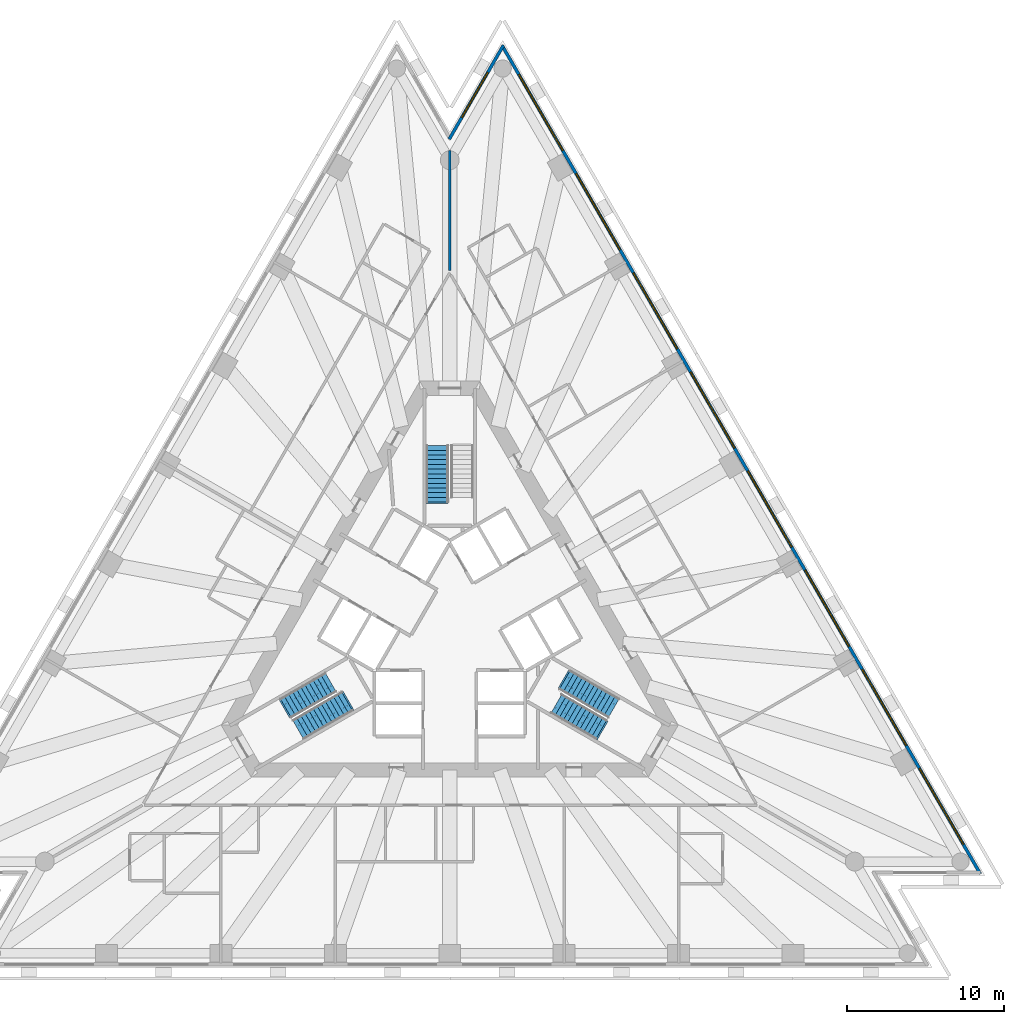
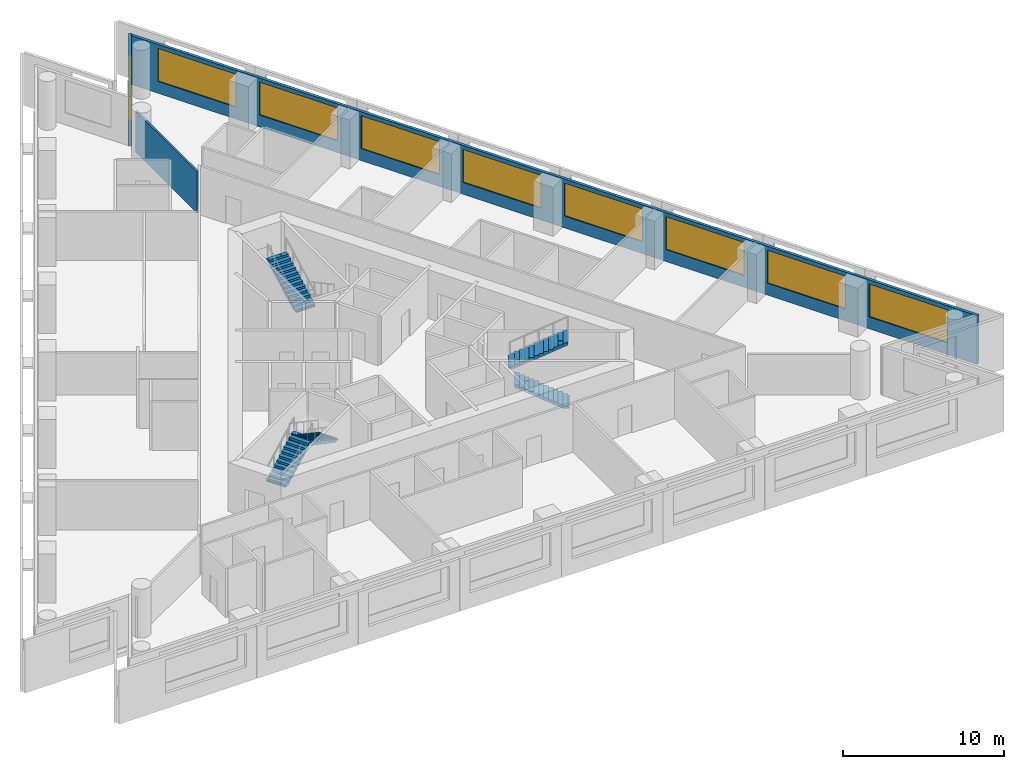
# One storey, part 8 of 11: 9 windows, 5 stair flights, 3 walls, 9 openings, 3 elements without a shape of their own.
"""IFC4 building model written with IfcOpenShell, lengths in metres."""

from ifc_helpers import new_model, si_unit, direction, frame, frame_2d, origin, place, context, subcontext, project, spatial, polyline, rectangle, outline, extrude, material, layer, layer_set, layer_usage, type_object, element, fill, aggregate, save


model = new_model("IFC4")

# Units and contexts
model_context = context("Model", 3, precision=1e-05, world=origin(), true_north=direction((0.0, 1.0)))
body_context = subcontext(model_context, "Body", "Model", "MODEL_VIEW")
ifc_project = project(units=[si_unit("LENGTHUNIT", "METRE"), si_unit("AREAUNIT", "SQUARE_METRE"), si_unit("VOLUMEUNIT", "CUBIC_METRE"), si_unit("PLANEANGLEUNIT", "RADIAN"), si_unit("MASSUNIT", "GRAM", prefix="KILO")], contexts=[model_context])

# Site, building, storey
site_placement = place(None, origin())
site = spatial("IfcSite", under=ifc_project, at=site_placement, CompositionType="ELEMENT")
building_placement = place(site_placement, origin())
building = spatial("IfcBuilding", under=site, at=building_placement, Name="Triada Interchange Tower", CompositionType="ELEMENT")
storey_placement = place(building_placement, frame((0.0, 0.0, 71.300048828125)))
storey = spatial("IfcBuildingStorey", under=building, at=storey_placement, Name="L15", CompositionType="ELEMENT", Elevation=71.300048828125)

# Wall, openings, windows
ifc_material_1 = material(Name="Cement board")
ifc_layer_1 = layer(ifc_material_1, 0.02001953125, Name="Cement board cladding")
ifc_material_2 = material(Name="Sheathing board")
ifc_layer_2 = layer(ifc_material_2, 0.014892578125, Name="Sheathing board")
ifc_material_3 = material(Name="Mineral wool")
ifc_layer_3 = layer(ifc_material_3, 0.14990234375, Name="Mineral wool between steel studs")
ifc_material_4 = material(Name="Gypsum board")
ifc_layer_4 = layer(ifc_material_4, 0.014892578125, Name="Plasterboard lining")
ifc_layer_set_1 = layer_set([ifc_layer_1, ifc_layer_2, ifc_layer_3, ifc_layer_4], Name="External wall 200")
ifc_layer_usage = layer_usage(ifc_layer_set_1, "AXIS2", "POSITIVE", -0.10009765625)
wall_type_1 = type_object("IfcWallType", Name="External wall 200", PredefinedType="ELEMENTEDWALL", material=ifc_layer_set_1)
wall_1_placement = place(storey_placement, frame((33.779052734375, -15.662109375, 0.0), z_axis=(0.0, 0.0, 1.0), x_axis=(-0.500000131003, 0.86602532815, 0.0)))
wall_1 = element("IfcWall", 1, at=wall_1_placement, inside=storey, type_object=wall_type_1, material=ifc_layer_usage, Name="External wall L15 NE", PredefinedType="ELEMENTEDWALL", context=body_context, shape_type="SweptSolid", body=[
    extrude(rectangle(XDim=60.88623046875, YDim=0.199951171875, at=frame_2d((30.443115234375, 0.0))), origin(), (0.0, 0.0, 1.0), 3.699951171875),
])
opening_1_placement = place(wall_1_placement, frame((2.14697265625, 0.0, 0.89990234375)))
opening_1 = element("IfcOpeningElement", 2, at=opening_1_placement, cuts=wall_1, Name="Opening WA21", PredefinedType="OPENING", context=body_context, shape_type="SweptSolid", body=[
    extrude(rectangle(XDim=5.60009765625, YDim=2.5, at=frame_2d((2.800048828125, 1.25))), frame((0.0, 0.10986328125, 0.0), z_axis=(0.0, -1.0, 0.0), x_axis=(1.0, 0.0, 0.0)), (0.0, 0.0, 1.0), 0.219970703125),
])
opening_2_placement = place(wall_1_placement, frame((9.43408203125, 0.0, 0.89990234375)))
opening_2 = element("IfcOpeningElement", 3, at=opening_2_placement, cuts=wall_1, Name="Opening WA22", PredefinedType="OPENING", context=body_context, shape_type="SweptSolid", body=[
    extrude(rectangle(XDim=5.60009765625, YDim=2.5, at=frame_2d((2.800048828125, 1.25))), frame((0.0, 0.10986328125, 0.0), z_axis=(0.0, -1.0, 0.0), x_axis=(1.0, 0.0, 0.0)), (0.0, 0.0, 1.0), 0.219970703125),
])
opening_3_placement = place(wall_1_placement, frame((16.721923828125, 0.0, 0.89990234375)))
opening_3 = element("IfcOpeningElement", 4, at=opening_3_placement, cuts=wall_1, Name="Opening WA23", PredefinedType="OPENING", context=body_context, shape_type="SweptSolid", body=[
    extrude(rectangle(XDim=5.60009765625, YDim=2.5, at=frame_2d((2.800048828125, 1.25))), frame((0.0, 0.10986328125, 0.0), z_axis=(0.0, -1.0, 0.0), x_axis=(1.0, 0.0, 0.0)), (0.0, 0.0, 1.0), 0.219970703125),
])
opening_4_placement = place(wall_1_placement, frame((24.009033203125, 0.0, 0.89990234375)))
opening_4 = element("IfcOpeningElement", 5, at=opening_4_placement, cuts=wall_1, Name="Opening WA24", PredefinedType="OPENING", context=body_context, shape_type="SweptSolid", body=[
    extrude(rectangle(XDim=5.60009765625, YDim=2.5, at=frame_2d((2.800048828125, 1.25))), frame((0.0, 0.10986328125, 0.0), z_axis=(0.0, -1.0, 0.0), x_axis=(1.0, 0.0, 0.0)), (0.0, 0.0, 1.0), 0.219970703125),
])
opening_5_placement = place(wall_1_placement, frame((31.297119140625, 0.0, 0.89990234375)))
opening_5 = element("IfcOpeningElement", 6, at=opening_5_placement, cuts=wall_1, Name="Opening WA25", PredefinedType="OPENING", context=body_context, shape_type="SweptSolid", body=[
    extrude(rectangle(XDim=5.60009765625, YDim=2.5, at=frame_2d((2.800048828125, 1.25))), frame((0.0, 0.10986328125, 0.0), z_axis=(0.0, -1.0, 0.0), x_axis=(1.0, 0.0, 0.0)), (0.0, 0.0, 1.0), 0.219970703125),
])
opening_6_placement = place(wall_1_placement, frame((38.583984375, 0.0, 0.89990234375)))
opening_6 = element("IfcOpeningElement", 7, at=opening_6_placement, cuts=wall_1, Name="Opening WA26", PredefinedType="OPENING", context=body_context, shape_type="SweptSolid", body=[
    extrude(rectangle(XDim=5.60009765625, YDim=2.5, at=frame_2d((2.800048828125, 1.25))), frame((0.0, 0.10986328125, 0.0), z_axis=(0.0, -1.0, 0.0), x_axis=(1.0, 0.0, 0.0)), (0.0, 0.0, 1.0), 0.219970703125),
])
opening_7_placement = place(wall_1_placement, frame((45.8720703125, 0.0, 0.89990234375)))
opening_7 = element("IfcOpeningElement", 8, at=opening_7_placement, cuts=wall_1, Name="Opening WA27", PredefinedType="OPENING", context=body_context, shape_type="SweptSolid", body=[
    extrude(rectangle(XDim=5.60009765625, YDim=2.5, at=frame_2d((2.800048828125, 1.25))), frame((0.0, 0.10986328125, 0.0), z_axis=(0.0, -1.0, 0.0), x_axis=(1.0, 0.0, 0.0)), (0.0, 0.0, 1.0), 0.219970703125),
])
opening_8_placement = place(wall_1_placement, frame((53.159912109375, 0.0, 0.89990234375)))
opening_8 = element("IfcOpeningElement", 9, at=opening_8_placement, cuts=wall_1, Name="Opening WA28", PredefinedType="OPENING", context=body_context, shape_type="SweptSolid", body=[
    extrude(rectangle(XDim=5.60009765625, YDim=2.5, at=frame_2d((2.800048828125, 1.25))), frame((0.0, 0.10986328125, 0.0), z_axis=(0.0, -1.0, 0.0), x_axis=(1.0, 0.0, 0.0)), (0.0, 0.0, 1.0), 0.219970703125),
])
ifc_material_5 = material(Name="Double glazed aluminium window", Category="aluminium")
window_type_1 = type_object("IfcWindowType", Name="Ribbon window A face", PartitioningType="SINGLE_PANEL", PredefinedType="WINDOW", material=ifc_material_5)
window_1_placement = place(opening_1_placement, origin())
window_1 = element("IfcWindow", 10, at=window_1_placement, inside=storey, type_object=window_type_1, Name="Window L15 NE 1", OverallHeight=2.5, OverallWidth=5.60009765625, PartitioningType="SINGLE_PANEL", PredefinedType="WINDOW", context=body_context, shape_type="SweptSolid", body=[
    extrude(rectangle(XDim=5.60009765625, YDim=2.5, at=frame_2d((2.800048828125, 1.25))), frame((0.0, 0.030029296875, 0.0), z_axis=(0.0, -1.0, 0.0), x_axis=(1.0, 0.0, 0.0)), (0.0, 0.0, 1.0), 0.06005859375),
])
fill(opening_1, window_1)
window_2_placement = place(opening_2_placement, origin())
window_2 = element("IfcWindow", 11, at=window_2_placement, inside=storey, type_object=window_type_1, Name="Window L15 NE 2", OverallHeight=2.5, OverallWidth=5.60009765625, PartitioningType="SINGLE_PANEL", PredefinedType="WINDOW", context=body_context, shape_type="SweptSolid", body=[
    extrude(rectangle(XDim=5.60009765625, YDim=2.5, at=frame_2d((2.800048828125, 1.25))), frame((0.0, 0.030029296875, 0.0), z_axis=(0.0, -1.0, 0.0), x_axis=(1.0, 0.0, 0.0)), (0.0, 0.0, 1.0), 0.06005859375),
])
fill(opening_2, window_2)
window_3_placement = place(opening_3_placement, origin())
window_3 = element("IfcWindow", 12, at=window_3_placement, inside=storey, type_object=window_type_1, Name="Window L15 NE 3", OverallHeight=2.5, OverallWidth=5.60009765625, PartitioningType="SINGLE_PANEL", PredefinedType="WINDOW", context=body_context, shape_type="SweptSolid", body=[
    extrude(rectangle(XDim=5.60009765625, YDim=2.5, at=frame_2d((2.800048828125, 1.25))), frame((0.0, 0.030029296875, 0.0), z_axis=(0.0, -1.0, 0.0), x_axis=(1.0, 0.0, 0.0)), (0.0, 0.0, 1.0), 0.06005859375),
])
fill(opening_3, window_3)
window_4_placement = place(opening_4_placement, origin())
window_4 = element("IfcWindow", 13, at=window_4_placement, inside=storey, type_object=window_type_1, Name="Window L15 NE 4", OverallHeight=2.5, OverallWidth=5.60009765625, PartitioningType="SINGLE_PANEL", PredefinedType="WINDOW", context=body_context, shape_type="SweptSolid", body=[
    extrude(rectangle(XDim=5.60009765625, YDim=2.5, at=frame_2d((2.800048828125, 1.25))), frame((0.0, 0.030029296875, 0.0), z_axis=(0.0, -1.0, 0.0), x_axis=(1.0, 0.0, 0.0)), (0.0, 0.0, 1.0), 0.06005859375),
])
fill(opening_4, window_4)
window_5_placement = place(opening_5_placement, origin())
window_5 = element("IfcWindow", 14, at=window_5_placement, inside=storey, type_object=window_type_1, Name="Window L15 NE 5", OverallHeight=2.5, OverallWidth=5.60009765625, PartitioningType="SINGLE_PANEL", PredefinedType="WINDOW", context=body_context, shape_type="SweptSolid", body=[
    extrude(rectangle(XDim=5.60009765625, YDim=2.5, at=frame_2d((2.800048828125, 1.25))), frame((0.0, 0.030029296875, 0.0), z_axis=(0.0, -1.0, 0.0), x_axis=(1.0, 0.0, 0.0)), (0.0, 0.0, 1.0), 0.06005859375),
])
fill(opening_5, window_5)
window_6_placement = place(opening_6_placement, origin())
window_6 = element("IfcWindow", 15, at=window_6_placement, inside=storey, type_object=window_type_1, Name="Window L15 NE 6", OverallHeight=2.5, OverallWidth=5.60009765625, PartitioningType="SINGLE_PANEL", PredefinedType="WINDOW", context=body_context, shape_type="SweptSolid", body=[
    extrude(rectangle(XDim=5.60009765625, YDim=2.5, at=frame_2d((2.800048828125, 1.25))), frame((0.0, 0.030029296875, 0.0), z_axis=(0.0, -1.0, 0.0), x_axis=(1.0, 0.0, 0.0)), (0.0, 0.0, 1.0), 0.06005859375),
])
fill(opening_6, window_6)
window_7_placement = place(opening_7_placement, origin())
window_7 = element("IfcWindow", 16, at=window_7_placement, inside=storey, type_object=window_type_1, Name="Window L15 NE 7", OverallHeight=2.5, OverallWidth=5.60009765625, PartitioningType="SINGLE_PANEL", PredefinedType="WINDOW", context=body_context, shape_type="SweptSolid", body=[
    extrude(rectangle(XDim=5.60009765625, YDim=2.5, at=frame_2d((2.800048828125, 1.25))), frame((0.0, 0.030029296875, 0.0), z_axis=(0.0, -1.0, 0.0), x_axis=(1.0, 0.0, 0.0)), (0.0, 0.0, 1.0), 0.06005859375),
])
fill(opening_7, window_7)
window_8_placement = place(opening_8_placement, origin())
window_8 = element("IfcWindow", 17, at=window_8_placement, inside=storey, type_object=window_type_1, Name="Window L15 NE 8", OverallHeight=2.5, OverallWidth=5.60009765625, PartitioningType="SINGLE_PANEL", PredefinedType="WINDOW", context=body_context, shape_type="SweptSolid", body=[
    extrude(rectangle(XDim=5.60009765625, YDim=2.5, at=frame_2d((2.800048828125, 1.25))), frame((0.0, 0.030029296875, 0.0), z_axis=(0.0, -1.0, 0.0), x_axis=(1.0, 0.0, 0.0)), (0.0, 0.0, 1.0), 0.06005859375),
])
fill(opening_8, window_8)

# Wall, opening, window
wall_2_placement = place(storey_placement, frame((3.416015625, 37.083984375, 0.0), z_axis=(0.0, 0.0, 1.0), x_axis=(-0.500008243208, -0.866020644514, 0.0)))
wall_2 = element("IfcWall", 18, at=wall_2_placement, inside=storey, type_object=wall_type_1, material=ifc_layer_usage, Name="External wall L15 N-1", PredefinedType="ELEMENTEDWALL", context=body_context, shape_type="SweptSolid", body=[
    extrude(rectangle(XDim=6.90185546875, YDim=0.199951171875, at=frame_2d((3.450927734375, 0.0))), origin(), (0.0, 0.0, 1.0), 3.699951171875),
])
opening_9_placement = place(wall_2_placement, frame((1.989990234375, 0.0, 0.89990234375)))
opening_9 = element("IfcOpeningElement", 19, at=opening_9_placement, cuts=wall_2, Name="Opening WA29", PredefinedType="OPENING", context=body_context, shape_type="SweptSolid", body=[
    extrude(rectangle(XDim=3.300048828125, YDim=2.5, at=frame_2d((1.64990234375, 1.25))), frame((0.0, 0.10986328125, 0.0), z_axis=(0.0, -1.0, 0.0), x_axis=(1.0, 0.0, 0.0)), (0.0, 0.0, 1.0), 0.219970703125),
])
window_type_2 = type_object("IfcWindowType", Name="Ribbon window A pocket", PartitioningType="SINGLE_PANEL", PredefinedType="WINDOW", material=ifc_material_5)
window_9_placement = place(opening_9_placement, origin())
window_9 = element("IfcWindow", 20, at=window_9_placement, inside=storey, type_object=window_type_2, Name="Window L15 N-1 1", OverallHeight=2.5, OverallWidth=3.300048828125, PartitioningType="SINGLE_PANEL", PredefinedType="WINDOW", context=body_context, shape_type="SweptSolid", body=[
    extrude(rectangle(XDim=3.300048828125, YDim=2.5, at=frame_2d((1.64990234375, 1.25))), frame((0.0, 0.030029296875, 0.0), z_axis=(0.0, -1.0, 0.0), x_axis=(1.0, 0.0, 0.0)), (0.0, 0.0, 1.0), 0.06005859375),
])
fill(opening_9, window_9)

# Wall
ifc_material_6 = material(Name="Gypsum board partition")
ifc_layer_5 = layer(ifc_material_6, 0.14990234375)
ifc_layer_set_2 = layer_set([ifc_layer_5], Name="PARTITION 150 EI 180")
wall_type_2 = type_object("IfcWallType", Name="PARTITION 150 EI 180", PredefinedType="PARTITIONING", material=ifc_layer_set_2)
wall_3_placement = place(storey_placement, frame((0.0, 22.75, 0.0), z_axis=(0.0, 0.0, 1.0), x_axis=(0.0, 1.0, 0.0)))
element("IfcWall", 21, at=wall_3_placement, inside=storey, type_object=wall_type_2, Name="Wall L15 20", PredefinedType="PARTITIONING", context=body_context, shape_type="SweptSolid", body=[
    extrude(rectangle(XDim=7.637939453125, YDim=0.14990234375, at=frame_2d((3.81884765625, 0.0))), origin(), (0.0, 0.0, 1.0), 3.099853515625),
])

# Stair, stair flight
ifc_material_7 = material(Name="Concrete C35/45", Category="concrete")
stair_type = type_object("IfcStairType", Name="HALF TURN STAIR 1400", PredefinedType="HALF_TURN_STAIR", material=ifc_material_7)
stair_1_placement = place(storey_placement, origin())
stair_1 = element("IfcStair", 22, at=stair_1_placement, inside=storey, type_object=stair_type, Name="Exit stair S15-1", PredefinedType="HALF_TURN_STAIR")
stair_flight_type = type_object("IfcStairFlightType", Name="STRAIGHT STAIR FLIGHT 1400", PredefinedType="STRAIGHT", material=ifc_material_7)
stair_flight_1_placement = place(storey_placement, frame((-0.800048828125, 8.0, 1.919921875), z_axis=(0.0, 0.0, 1.0), x_axis=(0.0, 1.0, 0.0)))
stair_flight_1 = element("IfcStairFlight", 23, at=stair_flight_1_placement, type_object=stair_flight_type, Name="S15-1 flight 2", NumberOfRisers=13, NumberOfTreads=12, PredefinedType="STRAIGHT", RiserHeight=0.16, TreadLength=0.3, context=body_context, shape_type="SweptSolid", body=[
    extrude(outline(polyline([(-0.10009765625, 0.0), (-0.10009765625, 0.02001953125), (0.0, 0.02001953125), (0.0, 0.159912109375), (0.300048828125, 0.159912109375), (0.300048828125, 0.320068359375), (0.60009765625, 0.320068359375), (0.60009765625, 0.47998046875), (0.89990234375, 0.47998046875), (0.89990234375, 0.639892578125), (1.199951171875, 0.639892578125), (1.199951171875, 0.800048828125), (1.5, 0.800048828125), (1.5, 0.9599609375), (1.800048828125, 0.9599609375), (1.800048828125, 1.1201171875), (2.10009765625, 1.1201171875), (2.10009765625, 1.280029296875), (2.39990234375, 1.280029296875), (2.39990234375, 1.43994140625), (2.699951171875, 1.43994140625), (2.699951171875, 1.60009765625), (3.0, 1.60009765625), (3.0, 1.760009765625), (3.300048828125, 1.760009765625), (3.300048828125, 1.919921875), (3.60009765625, 1.919921875), (3.60400390625, 1.919921875), (3.60400390625, 2.080078125), (3.60400390625, 1.75), (0.318603515625, 0.0), (-0.10009765625, 0.0)])), frame((0.0, 0.699951171875, 0.0), z_axis=(0.0, -1.0, 0.0), x_axis=(1.0, 0.0, 0.0)), (0.0, 0.0, 1.0), 0.46533203125),
    extrude(outline(polyline([(-0.10009765625, 0.0), (-0.10009765625, 0.02001953125), (0.0, 0.02001953125), (0.0, 0.159912109375), (0.300048828125, 0.159912109375), (0.300048828125, 0.320068359375), (0.60009765625, 0.320068359375), (0.60009765625, 0.47998046875), (0.89990234375, 0.47998046875), (0.89990234375, 0.639892578125), (1.199951171875, 0.639892578125), (1.199951171875, 0.800048828125), (1.5, 0.800048828125), (1.5, 0.9599609375), (1.800048828125, 0.9599609375), (1.800048828125, 1.1201171875), (2.10009765625, 1.1201171875), (2.10009765625, 1.280029296875), (2.39990234375, 1.280029296875), (2.39990234375, 1.43994140625), (2.699951171875, 1.43994140625), (2.699951171875, 1.60009765625), (3.0, 1.60009765625), (3.0, 1.760009765625), (3.300048828125, 1.760009765625), (3.300048828125, 1.919921875), (3.60009765625, 1.919921875), (3.60400390625, 1.919921875), (3.60400390625, 2.080078125), (3.60400390625, 1.75), (0.318603515625, 0.0), (-0.10009765625, 0.0)])), frame((0.0, 0.232666015625, 0.0), z_axis=(0.0, -1.0, 0.0), x_axis=(1.0, 0.0, 0.0)), (0.0, 0.0, 1.0), 0.46533203125),
    extrude(outline(polyline([(-0.10009765625, 0.0), (-0.10009765625, 0.02001953125), (0.0, 0.02001953125), (0.0, 0.159912109375), (0.300048828125, 0.159912109375), (0.300048828125, 0.320068359375), (0.60009765625, 0.320068359375), (0.60009765625, 0.47998046875), (0.89990234375, 0.47998046875), (0.89990234375, 0.639892578125), (1.199951171875, 0.639892578125), (1.199951171875, 0.800048828125), (1.5, 0.800048828125), (1.5, 0.9599609375), (1.800048828125, 0.9599609375), (1.800048828125, 1.1201171875), (2.10009765625, 1.1201171875), (2.10009765625, 1.280029296875), (2.39990234375, 1.280029296875), (2.39990234375, 1.43994140625), (2.699951171875, 1.43994140625), (2.699951171875, 1.60009765625), (3.0, 1.60009765625), (3.0, 1.760009765625), (3.300048828125, 1.760009765625), (3.300048828125, 1.919921875), (3.60009765625, 1.919921875), (3.60400390625, 1.919921875), (3.60400390625, 2.080078125), (3.60400390625, 1.75), (0.318603515625, 0.0), (-0.10009765625, 0.0)])), frame((0.0, -0.234619140625, 0.0), z_axis=(0.0, -1.0, 0.0), x_axis=(1.0, 0.0, 0.0)), (0.0, 0.0, 1.0), 0.46533203125),
])
aggregate(stair_1, [stair_flight_1])

# Stair, stair flights
stair_2_placement = place(storey_placement, origin())
stair_2 = element("IfcStair", 24, at=stair_2_placement, inside=storey, type_object=stair_type, Name="Exit stair S15-2", PredefinedType="HALF_TURN_STAIR")
stair_flight_2_placement = place(storey_placement, frame((-10.446044921875, -5.10693359375, 0.0), z_axis=(0.0, 0.0, 1.0), x_axis=(0.866025403784, 0.5, 0.0)))
stair_flight_2 = element("IfcStairFlight", 25, at=stair_flight_2_placement, type_object=stair_flight_type, Name="S15-2 flight 1", NumberOfRisers=12, NumberOfTreads=11, PredefinedType="STRAIGHT", RiserHeight=0.16, TreadLength=0.3, context=body_context, shape_type="SweptSolid", body=[
    extrude(outline(polyline([(-0.10009765625, 0.0), (-0.10009765625, 0.02001953125), (0.0, 0.02001953125), (0.0, 0.159912109375), (0.300048828125, 0.159912109375), (0.300048828125, 0.320068359375), (0.60009765625, 0.320068359375), (0.60009765625, 0.47998046875), (0.89990234375, 0.47998046875), (0.89990234375, 0.639892578125), (1.199951171875, 0.639892578125), (1.199951171875, 0.800048828125), (1.5, 0.800048828125), (1.5, 0.9599609375), (1.800048828125, 0.9599609375), (1.800048828125, 1.1201171875), (2.10009765625, 1.1201171875), (2.10009765625, 1.280029296875), (2.39990234375, 1.280029296875), (2.39990234375, 1.43994140625), (2.699951171875, 1.43994140625), (2.699951171875, 1.60009765625), (3.0, 1.60009765625), (3.0, 1.760009765625), (3.300048828125, 1.760009765625), (3.303955078125, 1.760009765625), (3.303955078125, 1.919921875), (3.303955078125, 1.590087890625), (0.318603515625, 0.0), (-0.10009765625, 0.0)])), frame((0.0, 0.699951171875, 0.0), z_axis=(0.0, -1.0, 0.0), x_axis=(1.0, 0.0, 0.0)), (0.0, 0.0, 1.0), 0.46533203125),
    extrude(outline(polyline([(-0.10009765625, 0.0), (-0.10009765625, 0.02001953125), (0.0, 0.02001953125), (0.0, 0.159912109375), (0.300048828125, 0.159912109375), (0.300048828125, 0.320068359375), (0.60009765625, 0.320068359375), (0.60009765625, 0.47998046875), (0.89990234375, 0.47998046875), (0.89990234375, 0.639892578125), (1.199951171875, 0.639892578125), (1.199951171875, 0.800048828125), (1.5, 0.800048828125), (1.5, 0.9599609375), (1.800048828125, 0.9599609375), (1.800048828125, 1.1201171875), (2.10009765625, 1.1201171875), (2.10009765625, 1.280029296875), (2.39990234375, 1.280029296875), (2.39990234375, 1.43994140625), (2.699951171875, 1.43994140625), (2.699951171875, 1.60009765625), (3.0, 1.60009765625), (3.0, 1.760009765625), (3.300048828125, 1.760009765625), (3.303955078125, 1.760009765625), (3.303955078125, 1.919921875), (3.303955078125, 1.590087890625), (0.318603515625, 0.0), (-0.10009765625, 0.0)])), frame((0.0, 0.232666015625, 0.0), z_axis=(0.0, -1.0, 0.0), x_axis=(1.0, 0.0, 0.0)), (0.0, 0.0, 1.0), 0.46533203125),
    extrude(outline(polyline([(-0.10009765625, 0.0), (-0.10009765625, 0.02001953125), (0.0, 0.02001953125), (0.0, 0.159912109375), (0.300048828125, 0.159912109375), (0.300048828125, 0.320068359375), (0.60009765625, 0.320068359375), (0.60009765625, 0.47998046875), (0.89990234375, 0.47998046875), (0.89990234375, 0.639892578125), (1.199951171875, 0.639892578125), (1.199951171875, 0.800048828125), (1.5, 0.800048828125), (1.5, 0.9599609375), (1.800048828125, 0.9599609375), (1.800048828125, 1.1201171875), (2.10009765625, 1.1201171875), (2.10009765625, 1.280029296875), (2.39990234375, 1.280029296875), (2.39990234375, 1.43994140625), (2.699951171875, 1.43994140625), (2.699951171875, 1.60009765625), (3.0, 1.60009765625), (3.0, 1.760009765625), (3.300048828125, 1.760009765625), (3.303955078125, 1.760009765625), (3.303955078125, 1.919921875), (3.303955078125, 1.590087890625), (0.318603515625, 0.0), (-0.10009765625, 0.0)])), frame((0.0, -0.234619140625, 0.0), z_axis=(0.0, -1.0, 0.0), x_axis=(1.0, 0.0, 0.0)), (0.0, 0.0, 1.0), 0.46533203125),
])
stair_flight_3_placement = place(storey_placement, frame((-6.528076171875, -4.693115234375, 1.919921875), z_axis=(0.0, 0.0, 1.0), x_axis=(-0.866025403784, -0.5, 0.0)))
stair_flight_3 = element("IfcStairFlight", 26, at=stair_flight_3_placement, type_object=stair_flight_type, Name="S15-2 flight 2", NumberOfRisers=13, NumberOfTreads=12, PredefinedType="STRAIGHT", RiserHeight=0.16, TreadLength=0.3, context=body_context, shape_type="SweptSolid", body=[
    extrude(outline(polyline([(-0.10009765625, 0.0), (-0.10009765625, 0.02001953125), (0.0, 0.02001953125), (0.0, 0.159912109375), (0.300048828125, 0.159912109375), (0.300048828125, 0.320068359375), (0.60009765625, 0.320068359375), (0.60009765625, 0.47998046875), (0.89990234375, 0.47998046875), (0.89990234375, 0.639892578125), (1.199951171875, 0.639892578125), (1.199951171875, 0.800048828125), (1.5, 0.800048828125), (1.5, 0.9599609375), (1.800048828125, 0.9599609375), (1.800048828125, 1.1201171875), (2.10009765625, 1.1201171875), (2.10009765625, 1.280029296875), (2.39990234375, 1.280029296875), (2.39990234375, 1.43994140625), (2.699951171875, 1.43994140625), (2.699951171875, 1.60009765625), (3.0, 1.60009765625), (3.0, 1.760009765625), (3.300048828125, 1.760009765625), (3.300048828125, 1.919921875), (3.60009765625, 1.919921875), (3.60400390625, 1.919921875), (3.60400390625, 2.080078125), (3.60400390625, 1.75), (0.318603515625, 0.0), (-0.10009765625, 0.0)])), frame((0.0, 0.699951171875, 0.0), z_axis=(0.0, -1.0, 0.0), x_axis=(1.0, 0.0, 0.0)), (0.0, 0.0, 1.0), 0.46533203125),
    extrude(outline(polyline([(-0.10009765625, 0.0), (-0.10009765625, 0.02001953125), (0.0, 0.02001953125), (0.0, 0.159912109375), (0.300048828125, 0.159912109375), (0.300048828125, 0.320068359375), (0.60009765625, 0.320068359375), (0.60009765625, 0.47998046875), (0.89990234375, 0.47998046875), (0.89990234375, 0.639892578125), (1.199951171875, 0.639892578125), (1.199951171875, 0.800048828125), (1.5, 0.800048828125), (1.5, 0.9599609375), (1.800048828125, 0.9599609375), (1.800048828125, 1.1201171875), (2.10009765625, 1.1201171875), (2.10009765625, 1.280029296875), (2.39990234375, 1.280029296875), (2.39990234375, 1.43994140625), (2.699951171875, 1.43994140625), (2.699951171875, 1.60009765625), (3.0, 1.60009765625), (3.0, 1.760009765625), (3.300048828125, 1.760009765625), (3.300048828125, 1.919921875), (3.60009765625, 1.919921875), (3.60400390625, 1.919921875), (3.60400390625, 2.080078125), (3.60400390625, 1.75), (0.318603515625, 0.0), (-0.10009765625, 0.0)])), frame((0.0, 0.232666015625, 0.0), z_axis=(0.0, -1.0, 0.0), x_axis=(1.0, 0.0, 0.0)), (0.0, 0.0, 1.0), 0.46533203125),
    extrude(outline(polyline([(-0.10009765625, 0.0), (-0.10009765625, 0.02001953125), (0.0, 0.02001953125), (0.0, 0.159912109375), (0.300048828125, 0.159912109375), (0.300048828125, 0.320068359375), (0.60009765625, 0.320068359375), (0.60009765625, 0.47998046875), (0.89990234375, 0.47998046875), (0.89990234375, 0.639892578125), (1.199951171875, 0.639892578125), (1.199951171875, 0.800048828125), (1.5, 0.800048828125), (1.5, 0.9599609375), (1.800048828125, 0.9599609375), (1.800048828125, 1.1201171875), (2.10009765625, 1.1201171875), (2.10009765625, 1.280029296875), (2.39990234375, 1.280029296875), (2.39990234375, 1.43994140625), (2.699951171875, 1.43994140625), (2.699951171875, 1.60009765625), (3.0, 1.60009765625), (3.0, 1.760009765625), (3.300048828125, 1.760009765625), (3.300048828125, 1.919921875), (3.60009765625, 1.919921875), (3.60400390625, 1.919921875), (3.60400390625, 2.080078125), (3.60400390625, 1.75), (0.318603515625, 0.0), (-0.10009765625, 0.0)])), frame((0.0, -0.234619140625, 0.0), z_axis=(0.0, -1.0, 0.0), x_axis=(1.0, 0.0, 0.0)), (0.0, 0.0, 1.0), 0.46533203125),
])
aggregate(stair_2, [stair_flight_2, stair_flight_3])

stair_3_placement = place(storey_placement, origin())
stair_3 = element("IfcStair", 27, at=stair_3_placement, inside=storey, type_object=stair_type, Name="Exit stair S15-3", PredefinedType="HALF_TURN_STAIR")
stair_flight_4_placement = place(storey_placement, frame((9.64599609375, -6.492919921875, 0.0), z_axis=(0.0, 0.0, 1.0), x_axis=(-0.866025403784, 0.5, 0.0)))
stair_flight_4 = element("IfcStairFlight", 28, at=stair_flight_4_placement, type_object=stair_flight_type, Name="S15-3 flight 1", NumberOfRisers=12, NumberOfTreads=11, PredefinedType="STRAIGHT", RiserHeight=0.16, TreadLength=0.3, context=body_context, shape_type="SweptSolid", body=[
    extrude(outline(polyline([(-0.10009765625, 0.0), (-0.10009765625, 0.02001953125), (0.0, 0.02001953125), (0.0, 0.159912109375), (0.300048828125, 0.159912109375), (0.300048828125, 0.320068359375), (0.60009765625, 0.320068359375), (0.60009765625, 0.47998046875), (0.89990234375, 0.47998046875), (0.89990234375, 0.639892578125), (1.199951171875, 0.639892578125), (1.199951171875, 0.800048828125), (1.5, 0.800048828125), (1.5, 0.9599609375), (1.800048828125, 0.9599609375), (1.800048828125, 1.1201171875), (2.10009765625, 1.1201171875), (2.10009765625, 1.280029296875), (2.39990234375, 1.280029296875), (2.39990234375, 1.43994140625), (2.699951171875, 1.43994140625), (2.699951171875, 1.60009765625), (3.0, 1.60009765625), (3.0, 1.760009765625), (3.300048828125, 1.760009765625), (3.303955078125, 1.760009765625), (3.303955078125, 1.919921875), (3.303955078125, 1.590087890625), (0.318603515625, 0.0), (-0.10009765625, 0.0)])), frame((0.0, 0.699951171875, 0.0), z_axis=(0.0, -1.0, 0.0), x_axis=(1.0, 0.0, 0.0)), (0.0, 0.0, 1.0), 0.46533203125),
    extrude(outline(polyline([(-0.10009765625, 0.0), (-0.10009765625, 0.02001953125), (0.0, 0.02001953125), (0.0, 0.159912109375), (0.300048828125, 0.159912109375), (0.300048828125, 0.320068359375), (0.60009765625, 0.320068359375), (0.60009765625, 0.47998046875), (0.89990234375, 0.47998046875), (0.89990234375, 0.639892578125), (1.199951171875, 0.639892578125), (1.199951171875, 0.800048828125), (1.5, 0.800048828125), (1.5, 0.9599609375), (1.800048828125, 0.9599609375), (1.800048828125, 1.1201171875), (2.10009765625, 1.1201171875), (2.10009765625, 1.280029296875), (2.39990234375, 1.280029296875), (2.39990234375, 1.43994140625), (2.699951171875, 1.43994140625), (2.699951171875, 1.60009765625), (3.0, 1.60009765625), (3.0, 1.760009765625), (3.300048828125, 1.760009765625), (3.303955078125, 1.760009765625), (3.303955078125, 1.919921875), (3.303955078125, 1.590087890625), (0.318603515625, 0.0), (-0.10009765625, 0.0)])), frame((0.0, 0.232666015625, 0.0), z_axis=(0.0, -1.0, 0.0), x_axis=(1.0, 0.0, 0.0)), (0.0, 0.0, 1.0), 0.46533203125),
    extrude(outline(polyline([(-0.10009765625, 0.0), (-0.10009765625, 0.02001953125), (0.0, 0.02001953125), (0.0, 0.159912109375), (0.300048828125, 0.159912109375), (0.300048828125, 0.320068359375), (0.60009765625, 0.320068359375), (0.60009765625, 0.47998046875), (0.89990234375, 0.47998046875), (0.89990234375, 0.639892578125), (1.199951171875, 0.639892578125), (1.199951171875, 0.800048828125), (1.5, 0.800048828125), (1.5, 0.9599609375), (1.800048828125, 0.9599609375), (1.800048828125, 1.1201171875), (2.10009765625, 1.1201171875), (2.10009765625, 1.280029296875), (2.39990234375, 1.280029296875), (2.39990234375, 1.43994140625), (2.699951171875, 1.43994140625), (2.699951171875, 1.60009765625), (3.0, 1.60009765625), (3.0, 1.760009765625), (3.300048828125, 1.760009765625), (3.303955078125, 1.760009765625), (3.303955078125, 1.919921875), (3.303955078125, 1.590087890625), (0.318603515625, 0.0), (-0.10009765625, 0.0)])), frame((0.0, -0.234619140625, 0.0), z_axis=(0.0, -1.0, 0.0), x_axis=(1.0, 0.0, 0.0)), (0.0, 0.0, 1.0), 0.46533203125),
])
stair_flight_5_placement = place(storey_placement, frame((7.327880859375, -3.306884765625, 1.919921875), z_axis=(0.0, 0.0, 1.0), x_axis=(0.866025403784, -0.5, 0.0)))
stair_flight_5 = element("IfcStairFlight", 29, at=stair_flight_5_placement, type_object=stair_flight_type, Name="S15-3 flight 2", NumberOfRisers=13, NumberOfTreads=12, PredefinedType="STRAIGHT", RiserHeight=0.16, TreadLength=0.3, context=body_context, shape_type="SweptSolid", body=[
    extrude(outline(polyline([(-0.10009765625, 0.0), (-0.10009765625, 0.02001953125), (0.0, 0.02001953125), (0.0, 0.159912109375), (0.300048828125, 0.159912109375), (0.300048828125, 0.320068359375), (0.60009765625, 0.320068359375), (0.60009765625, 0.47998046875), (0.89990234375, 0.47998046875), (0.89990234375, 0.639892578125), (1.199951171875, 0.639892578125), (1.199951171875, 0.800048828125), (1.5, 0.800048828125), (1.5, 0.9599609375), (1.800048828125, 0.9599609375), (1.800048828125, 1.1201171875), (2.10009765625, 1.1201171875), (2.10009765625, 1.280029296875), (2.39990234375, 1.280029296875), (2.39990234375, 1.43994140625), (2.699951171875, 1.43994140625), (2.699951171875, 1.60009765625), (3.0, 1.60009765625), (3.0, 1.760009765625), (3.300048828125, 1.760009765625), (3.300048828125, 1.919921875), (3.60009765625, 1.919921875), (3.60400390625, 1.919921875), (3.60400390625, 2.080078125), (3.60400390625, 1.75), (0.318603515625, 0.0), (-0.10009765625, 0.0)])), frame((0.0, 0.699951171875, 0.0), z_axis=(0.0, -1.0, 0.0), x_axis=(1.0, 0.0, 0.0)), (0.0, 0.0, 1.0), 0.46533203125),
    extrude(outline(polyline([(-0.10009765625, 0.0), (-0.10009765625, 0.02001953125), (0.0, 0.02001953125), (0.0, 0.159912109375), (0.300048828125, 0.159912109375), (0.300048828125, 0.320068359375), (0.60009765625, 0.320068359375), (0.60009765625, 0.47998046875), (0.89990234375, 0.47998046875), (0.89990234375, 0.639892578125), (1.199951171875, 0.639892578125), (1.199951171875, 0.800048828125), (1.5, 0.800048828125), (1.5, 0.9599609375), (1.800048828125, 0.9599609375), (1.800048828125, 1.1201171875), (2.10009765625, 1.1201171875), (2.10009765625, 1.280029296875), (2.39990234375, 1.280029296875), (2.39990234375, 1.43994140625), (2.699951171875, 1.43994140625), (2.699951171875, 1.60009765625), (3.0, 1.60009765625), (3.0, 1.760009765625), (3.300048828125, 1.760009765625), (3.300048828125, 1.919921875), (3.60009765625, 1.919921875), (3.60400390625, 1.919921875), (3.60400390625, 2.080078125), (3.60400390625, 1.75), (0.318603515625, 0.0), (-0.10009765625, 0.0)])), frame((0.0, 0.232666015625, 0.0), z_axis=(0.0, -1.0, 0.0), x_axis=(1.0, 0.0, 0.0)), (0.0, 0.0, 1.0), 0.46533203125),
    extrude(outline(polyline([(-0.10009765625, 0.0), (-0.10009765625, 0.02001953125), (0.0, 0.02001953125), (0.0, 0.159912109375), (0.300048828125, 0.159912109375), (0.300048828125, 0.320068359375), (0.60009765625, 0.320068359375), (0.60009765625, 0.47998046875), (0.89990234375, 0.47998046875), (0.89990234375, 0.639892578125), (1.199951171875, 0.639892578125), (1.199951171875, 0.800048828125), (1.5, 0.800048828125), (1.5, 0.9599609375), (1.800048828125, 0.9599609375), (1.800048828125, 1.1201171875), (2.10009765625, 1.1201171875), (2.10009765625, 1.280029296875), (2.39990234375, 1.280029296875), (2.39990234375, 1.43994140625), (2.699951171875, 1.43994140625), (2.699951171875, 1.60009765625), (3.0, 1.60009765625), (3.0, 1.760009765625), (3.300048828125, 1.760009765625), (3.300048828125, 1.919921875), (3.60009765625, 1.919921875), (3.60400390625, 1.919921875), (3.60400390625, 2.080078125), (3.60400390625, 1.75), (0.318603515625, 0.0), (-0.10009765625, 0.0)])), frame((0.0, -0.234619140625, 0.0), z_axis=(0.0, -1.0, 0.0), x_axis=(1.0, 0.0, 0.0)), (0.0, 0.0, 1.0), 0.46533203125),
])
aggregate(stair_3, [stair_flight_4, stair_flight_5])

save(model, "model.ifc")
